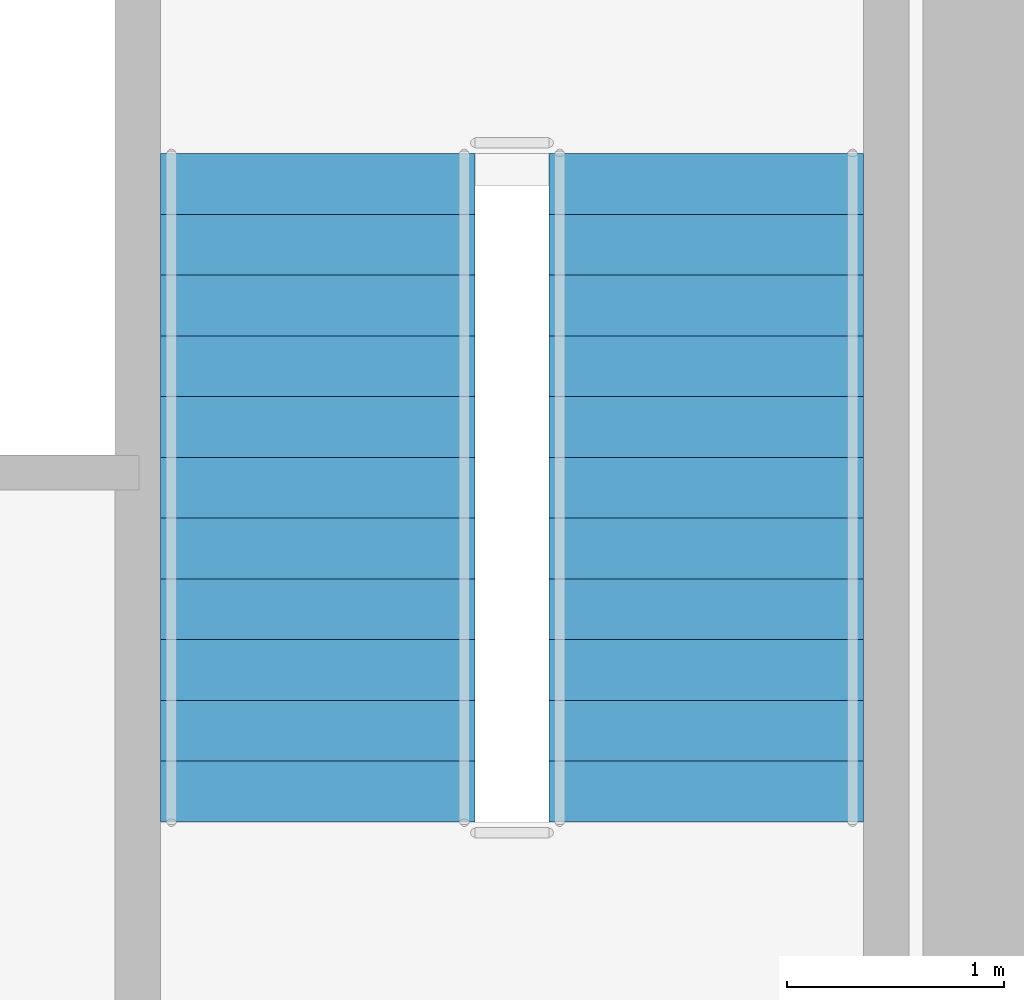
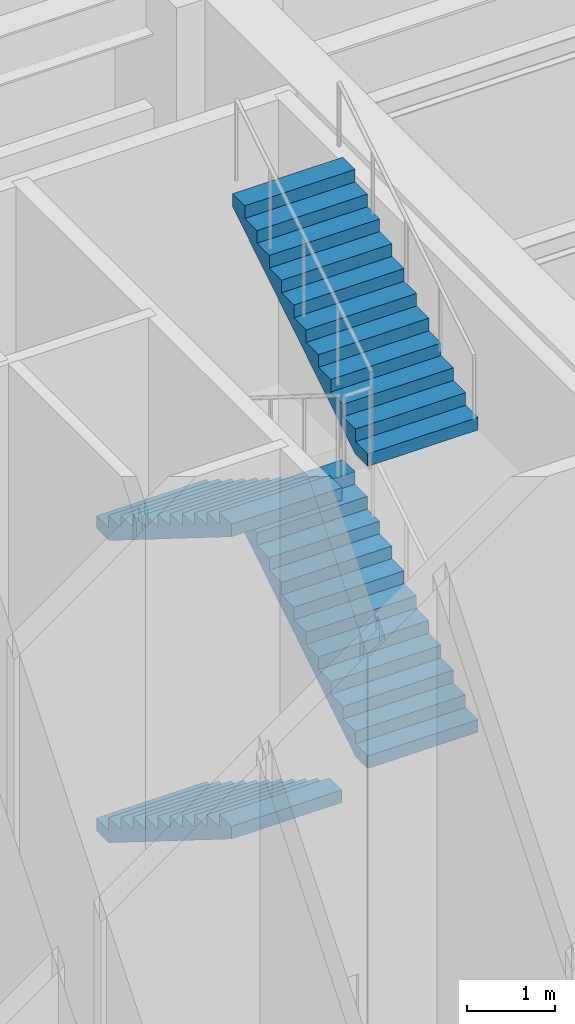
# One storey, part 5 of 7: 4 stair flights, 1 element without a shape of its own.
"""IFC4 building model written with IfcOpenShell, lengths in metres."""

from ifc_helpers import new_model, si_unit, direction, frame, origin, place, context, subcontext, project, spatial, polyline, outline, extrude, material, layer, layer_set, type_object, element, aggregate, save


model = new_model("IFC4")

# Units and contexts
model_context = context("Model", 3, precision=1e-05, world=origin(), true_north=direction((0.0, 1.0)))
body_context = subcontext(model_context, "Body", "Model", "MODEL_VIEW")
ifc_project = project(units=[si_unit("LENGTHUNIT", "METRE"), si_unit("AREAUNIT", "SQUARE_METRE"), si_unit("VOLUMEUNIT", "CUBIC_METRE"), si_unit("PLANEANGLEUNIT", "RADIAN"), si_unit("MASSUNIT", "GRAM", prefix="KILO")], contexts=[model_context])

# Site, building, storey
site_placement = place(None, origin())
site = spatial("IfcSite", under=ifc_project, at=site_placement, CompositionType="ELEMENT")
building_placement = place(site_placement, origin())
building = spatial("IfcBuilding", under=site, at=building_placement, Name="Qalmaran Belvedere Hotel", CompositionType="ELEMENT")
storey_placement = place(building_placement, frame((0.0, 0.0, 75.39990234375)))
storey = spatial("IfcBuildingStorey", under=building, at=storey_placement, Name="L19", CompositionType="ELEMENT", Elevation=75.39990234375)

# Stair, stair flights
ifc_material = material(Name="Concrete C40/50", Category="concrete")
stair_type = type_object("IfcStairType", Name="STR-ST-2-1450-R1750", PredefinedType="HALF_TURN_STAIR", material=ifc_material)
stair_placement = place(storey_placement, origin())
stair = element("IfcStair", 1, at=stair_placement, inside=storey, type_object=stair_type, Name="L19 East Core Exit Stair ST-2", PredefinedType="HALF_TURN_STAIR")
ifc_layer = layer(ifc_material, 0.14990234375, Name="Concrete C40/50")
ifc_layer_set = layer_set([ifc_layer], Name="Concrete C40/50")
stair_flight_type = type_object("IfcStairFlightType", Name="STF-ST-2-1450-R1750", PredefinedType="STRAIGHT", material=ifc_layer_set)
stair_flight_1_placement = place(storey_placement, frame((41.68505859375, 16.18994140625, 0.0), z_axis=(0.0, 0.0, 1.0), x_axis=(0.0, -1.0, 0.0)))
stair_flight_1 = element("IfcStairFlight", 2, at=stair_flight_1_placement, type_object=stair_flight_type, Name="ST-2 flight 1", NumberOfRisers=12, NumberOfTreads=11, PredefinedType="STRAIGHT", RiserHeight=0.175, TreadLength=0.28, context=body_context, shape_type="SweptSolid", body=[
    extrude(outline(polyline([(0.0, 0.0), (0.0, 0.175048828125), (0.280029296875, 0.175048828125), (0.280029296875, 0.35009765625), (0.56005859375, 0.35009765625), (0.56005859375, 0.52490234375), (0.840087890625, 0.52490234375), (0.840087890625, 0.699951171875), (1.1201171875, 0.699951171875), (1.1201171875, 0.875), (1.39990234375, 0.875), (1.39990234375, 1.050048828125), (1.679931640625, 1.050048828125), (1.679931640625, 1.22509765625), (1.9599609375, 1.22509765625), (1.9599609375, 1.39990234375), (2.239990234375, 1.39990234375), (2.239990234375, 1.574951171875), (2.52001953125, 1.574951171875), (2.52001953125, 1.75), (2.800048828125, 1.75), (2.800048828125, 1.925048828125), (3.080078125, 1.925048828125), (3.080078125, 2.10009765625), (3.080078125, 1.748291015625), (0.28271484375, 0.0), (0.0, 0.0)])), frame((0.0, 0.72509765625, 0.0), z_axis=(0.0, -1.0, 0.0), x_axis=(1.0, 0.0, 0.0)), (0.0, 0.0, 1.0), 1.449951171875),
])
stair_flight_2_placement = place(storey_placement, frame((43.47509765625, 13.110107421875, 2.10009765625), z_axis=(0.0, 0.0, 1.0), x_axis=(0.0, 1.0, 0.0)))
stair_flight_2 = element("IfcStairFlight", 3, at=stair_flight_2_placement, type_object=stair_flight_type, Name="ST-2 flight 2", NumberOfRisers=12, NumberOfTreads=11, PredefinedType="STRAIGHT", RiserHeight=0.175, TreadLength=0.28, context=body_context, shape_type="SweptSolid", body=[
    extrude(outline(polyline([(0.0, 0.0), (0.0, 0.175048828125), (0.280029296875, 0.175048828125), (0.280029296875, 0.35009765625), (0.56005859375, 0.35009765625), (0.56005859375, 0.52490234375), (0.840087890625, 0.52490234375), (0.840087890625, 0.699951171875), (1.1201171875, 0.699951171875), (1.1201171875, 0.875), (1.39990234375, 0.875), (1.39990234375, 1.050048828125), (1.679931640625, 1.050048828125), (1.679931640625, 1.22509765625), (1.9599609375, 1.22509765625), (1.9599609375, 1.39990234375), (2.239990234375, 1.39990234375), (2.239990234375, 1.574951171875), (2.52001953125, 1.574951171875), (2.52001953125, 1.75), (2.800048828125, 1.75), (2.800048828125, 1.925048828125), (3.080078125, 1.925048828125), (3.080078125, 2.10009765625), (3.080078125, 1.748291015625), (0.28271484375, 0.0), (0.0, 0.0)])), frame((0.0, 0.72509765625, 0.0), z_axis=(0.0, -1.0, 0.0), x_axis=(1.0, 0.0, 0.0)), (0.0, 0.0, 1.0), 1.449951171875),
])
stair_flight_3_placement = place(storey_placement, frame((41.68505859375, 16.18994140625, 4.2001953125), z_axis=(0.0, 0.0, 1.0), x_axis=(0.0, -1.0, 0.0)))
stair_flight_3 = element("IfcStairFlight", 4, at=stair_flight_3_placement, type_object=stair_flight_type, Name="ST-2 flight 3", NumberOfRisers=12, NumberOfTreads=11, PredefinedType="STRAIGHT", RiserHeight=0.175, TreadLength=0.28, context=body_context, shape_type="SweptSolid", body=[
    extrude(outline(polyline([(0.0, 0.0), (0.0, 0.175048828125), (0.280029296875, 0.175048828125), (0.280029296875, 0.35009765625), (0.56005859375, 0.35009765625), (0.56005859375, 0.52490234375), (0.840087890625, 0.52490234375), (0.840087890625, 0.699951171875), (1.1201171875, 0.699951171875), (1.1201171875, 0.875), (1.39990234375, 0.875), (1.39990234375, 1.050048828125), (1.679931640625, 1.050048828125), (1.679931640625, 1.22509765625), (1.9599609375, 1.22509765625), (1.9599609375, 1.39990234375), (2.239990234375, 1.39990234375), (2.239990234375, 1.574951171875), (2.52001953125, 1.574951171875), (2.52001953125, 1.75), (2.800048828125, 1.75), (2.800048828125, 1.925048828125), (3.080078125, 1.925048828125), (3.080078125, 2.10009765625), (3.080078125, 1.748291015625), (0.28271484375, 0.0), (0.0, 0.0)])), frame((0.0, 0.72509765625, 0.0), z_axis=(0.0, -1.0, 0.0), x_axis=(1.0, 0.0, 0.0)), (0.0, 0.0, 1.0), 1.449951171875),
])
stair_flight_4_placement = place(storey_placement, frame((43.47509765625, 13.110107421875, 6.300048828125), z_axis=(0.0, 0.0, 1.0), x_axis=(0.0, 1.0, 0.0)))
stair_flight_4 = element("IfcStairFlight", 5, at=stair_flight_4_placement, type_object=stair_flight_type, Name="ST-2 flight 4", NumberOfRisers=12, NumberOfTreads=11, PredefinedType="STRAIGHT", RiserHeight=0.175, TreadLength=0.28, context=body_context, shape_type="SweptSolid", body=[
    extrude(outline(polyline([(0.0, 0.0), (0.0, 0.175048828125), (0.280029296875, 0.175048828125), (0.280029296875, 0.35009765625), (0.56005859375, 0.35009765625), (0.56005859375, 0.52490234375), (0.840087890625, 0.52490234375), (0.840087890625, 0.699951171875), (1.1201171875, 0.699951171875), (1.1201171875, 0.875), (1.39990234375, 0.875), (1.39990234375, 1.050048828125), (1.679931640625, 1.050048828125), (1.679931640625, 1.22509765625), (1.9599609375, 1.22509765625), (1.9599609375, 1.39990234375), (2.239990234375, 1.39990234375), (2.239990234375, 1.574951171875), (2.52001953125, 1.574951171875), (2.52001953125, 1.75), (2.800048828125, 1.75), (2.800048828125, 1.925048828125), (3.080078125, 1.925048828125), (3.080078125, 2.10009765625), (3.080078125, 1.748291015625), (0.28271484375, 0.0), (0.0, 0.0)])), frame((0.0, 0.72509765625, 0.0), z_axis=(0.0, -1.0, 0.0), x_axis=(1.0, 0.0, 0.0)), (0.0, 0.0, 1.0), 1.449951171875),
])
aggregate(stair, [stair_flight_1, stair_flight_2, stair_flight_3, stair_flight_4])

save(model, "model.ifc")
